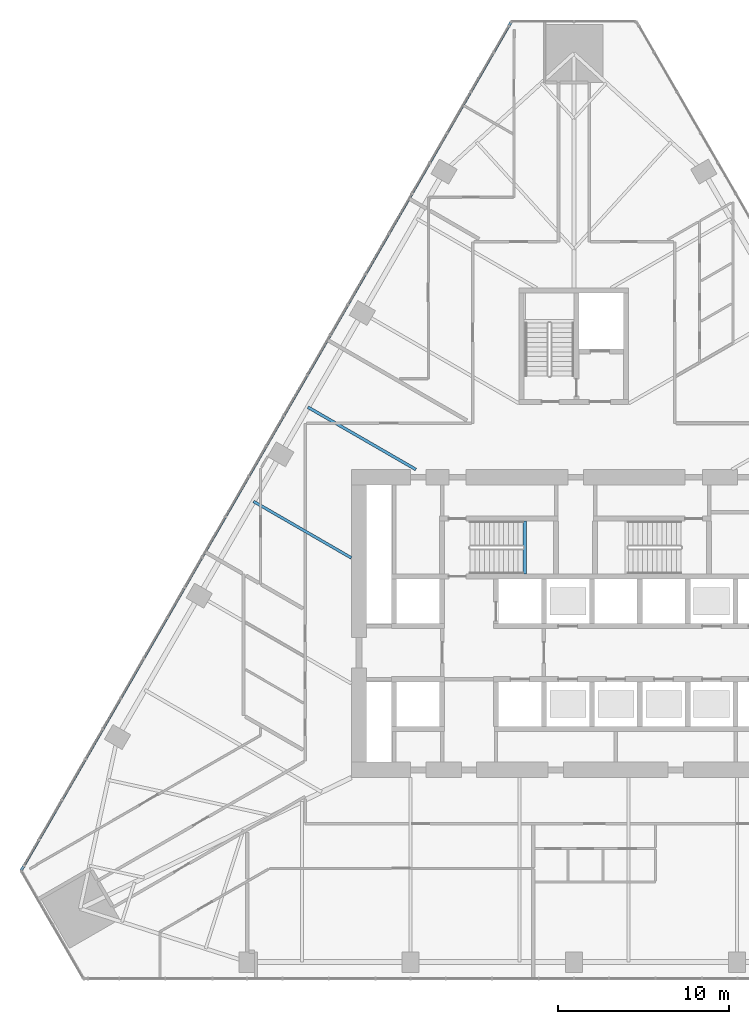
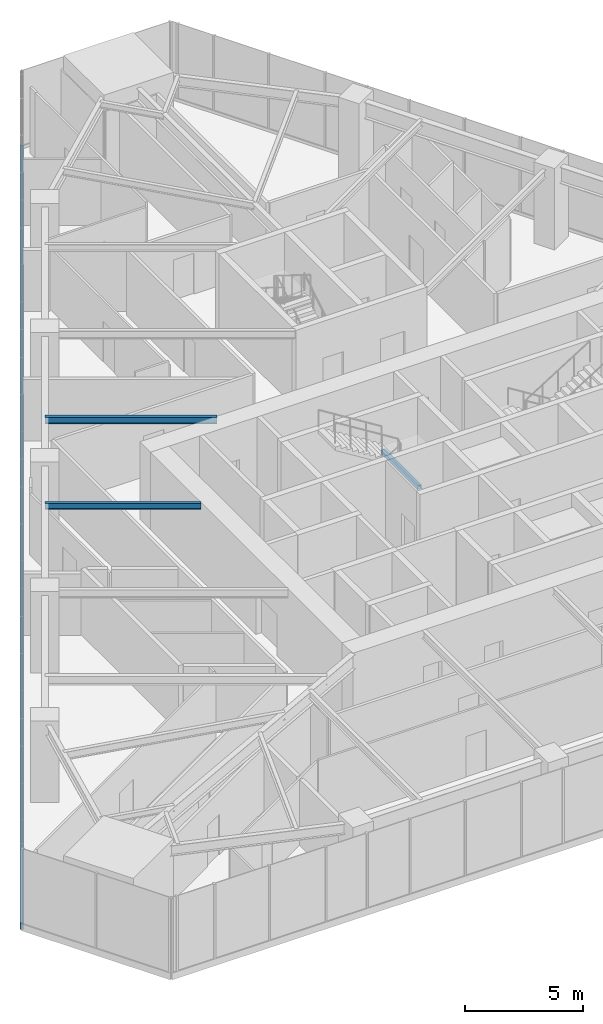
# One storey, part 4 of 26: 3 beams, 1 member, 1 element without a shape of its own.
"""IFC4 building model written with IfcOpenShell, lengths in metres."""

from ifc_helpers import new_model, si_unit, direction, frame, origin, origin_2d, place, context, subcontext, project, spatial, rectangle, i_section, extrude, material, layer, layer_set, material_profile, profile_set, type_object, element, aggregate, save


model = new_model("IFC4")

# Units and contexts
model_context = context("Model", 3, precision=1e-05, world=origin(), true_north=direction((0.0, 1.0)))
body_context = subcontext(model_context, "Body", "Model", "MODEL_VIEW")
ifc_project = project(units=[si_unit("LENGTHUNIT", "METRE"), si_unit("AREAUNIT", "SQUARE_METRE"), si_unit("VOLUMEUNIT", "CUBIC_METRE"), si_unit("PLANEANGLEUNIT", "RADIAN"), si_unit("MASSUNIT", "GRAM", prefix="KILO")], contexts=[model_context])

# Site, building, storey
site_placement = place(None, origin())
site = spatial("IfcSite", under=ifc_project, at=site_placement, CompositionType="ELEMENT")
building_placement = place(site_placement, origin())
building = spatial("IfcBuilding", under=site, at=building_placement, Name="Firuza Gate Tower and Library", CompositionType="ELEMENT")
storey_placement = place(building_placement, frame((0.0, 0.0, 65.199951171875)))
storey = spatial("IfcBuildingStorey", under=building, at=storey_placement, Name="L14", CompositionType="ELEMENT", Elevation=65.199951171875)

# Curtain wall, member
ifc_material_1 = material(Name="Aluminium 6063-T6", Category="aluminium")
ifc_layer = layer(ifc_material_1, 0.14990234375)
ifc_layer_set = layer_set([ifc_layer], Name="Unitised curtain wall, offices")
curtain_wall_type = type_object("IfcCurtainWallType", Name="Unitised curtain wall, offices", PredefinedType="NOTDEFINED", material=ifc_layer_set)
curtain_wall_placement = place(storey_placement, origin())
curtain_wall = element("IfcCurtainWall", 1, at=curtain_wall_placement, inside=storey, type_object=curtain_wall_type, Name="CW1 L14 W face", PredefinedType="NOTDEFINED")
ifc_material_2 = material(Name="Aluminium 6063-T6", Category="aluminium")
ifc_material_profile_1 = material_profile(ifc_material_2, rectangle(XDim=0.14990234375, YDim=0.35009765625, at=origin_2d()))
ifc_profile_set_1 = profile_set([ifc_material_profile_1], Name="Aluminium 6063-T6")
member_type = type_object("IfcMemberType", Name="Curtain wall transom 350x150", PredefinedType="USERDEFINED", material=ifc_profile_set_1)
member_placement = place(storey_placement, frame((71.356689453125, 110.181884765625, -0.02490234375), z_axis=(-0.499999346088, -0.866025781321, 0.0), x_axis=(0.866025781321, -0.499999346088, 0.0)))
member = element("IfcMember", 2, at=member_placement, type_object=member_type, Name="Transom", ObjectType="TRANSOM", PredefinedType="USERDEFINED", context=body_context, shape_type="SweptSolid", body=[
    extrude(rectangle(XDim=0.14990234375, YDim=0.35009765625, at=origin_2d()), origin(), (0.0, 0.0, 1.0), 57.29345703125),
])
aggregate(curtain_wall, [member])

# Beams
ifc_material_3 = material(Name="Concrete C35/45", Category="concrete")
ifc_material_profile_2 = material_profile(ifc_material_3, rectangle(XDim=0.199951171875, YDim=0.199951171875, at=origin_2d()))
ifc_profile_set_2 = profile_set([ifc_material_profile_2], Name="Concrete C35/45")
beam_type_1 = type_object("IfcBeamType", Name="Stair landing bearer 200x200", PredefinedType="BEAM", material=ifc_profile_set_2)
beam_1_placement = place(storey_placement, frame((72.1201171875, 77.89990234375, 1.800048828125), z_axis=(0.0, 1.0, 0.0), x_axis=(-1.0, 0.0, 0.0)))
element("IfcBeam", 3, at=beam_1_placement, inside=storey, type_object=beam_type_1, Name="Landing bearer L14 stair 1", PredefinedType="BEAM", context=body_context, shape_type="SweptSolid", body=[
    extrude(rectangle(XDim=0.199951171875, YDim=0.199951171875, at=origin_2d()), origin(), (0.0, 0.0, 1.0), 3.080078125),
])
ifc_material_4 = material(Name="Steel S355", Category="steel")
ifc_material_profile_3 = material_profile(ifc_material_4, i_section(OverallWidth=0.1650390625, OverallDepth=0.31005859375, WebThickness=0.005859375, FlangeThickness=0.009765625, at=origin_2d()))
ifc_profile_set_3 = profile_set([ifc_material_profile_3], Name="Steel S355")
beam_type_2 = type_object("IfcBeamType", Name="W310x39 Floor beam", PredefinedType="JOIST", material=ifc_profile_set_3)
beam_2_placement = place(storey_placement, frame((56.28857421875, 82.13330078125, 3.844970703125), z_axis=(0.866017904993, -0.500012988063, 0.0), x_axis=(0.500012988063, 0.866017904993, 0.0)))
element("IfcBeam", 4, at=beam_2_placement, inside=storey, type_object=beam_type_2, Name="Floor beam L14 s83", PredefinedType="JOIST", context=body_context, shape_type="SweptSolid", body=[
    extrude(i_section(OverallWidth=0.1650390625, OverallDepth=0.31005859375, WebThickness=0.005859375, FlangeThickness=0.009765625, at=origin_2d()), origin(), (0.0, 0.0, 1.0), 6.594970703125),
])
ifc_material_5 = material(Name="Steel S355", Category="steel")
ifc_material_profile_4 = material_profile(ifc_material_5, i_section(OverallWidth=0.1708984375, OverallDepth=0.35498046875, WebThickness=0.007080078125, FlangeThickness=0.01171875, at=origin_2d()))
ifc_profile_set_4 = profile_set([ifc_material_profile_4], Name="Steel S355")
beam_type_3 = type_object("IfcBeamType", Name="W360x51 Floor beam", PredefinedType="JOIST", material=ifc_profile_set_4)
beam_3_placement = place(storey_placement, frame((59.466796875, 87.637939453125, 3.822509765625), z_axis=(0.866022978719, -0.500004200313, 0.0), x_axis=(0.500004200313, 0.866022978719, 0.0)))
element("IfcBeam", 5, at=beam_3_placement, inside=storey, type_object=beam_type_3, Name="Floor beam L14 s82", PredefinedType="JOIST", context=body_context, shape_type="SweptSolid", body=[
    extrude(i_section(OverallWidth=0.1708984375, OverallDepth=0.35498046875, WebThickness=0.007080078125, FlangeThickness=0.01171875, at=origin_2d()), origin(), (0.0, 0.0, 1.0), 7.27587890625),
])

save(model, "model.ifc")
